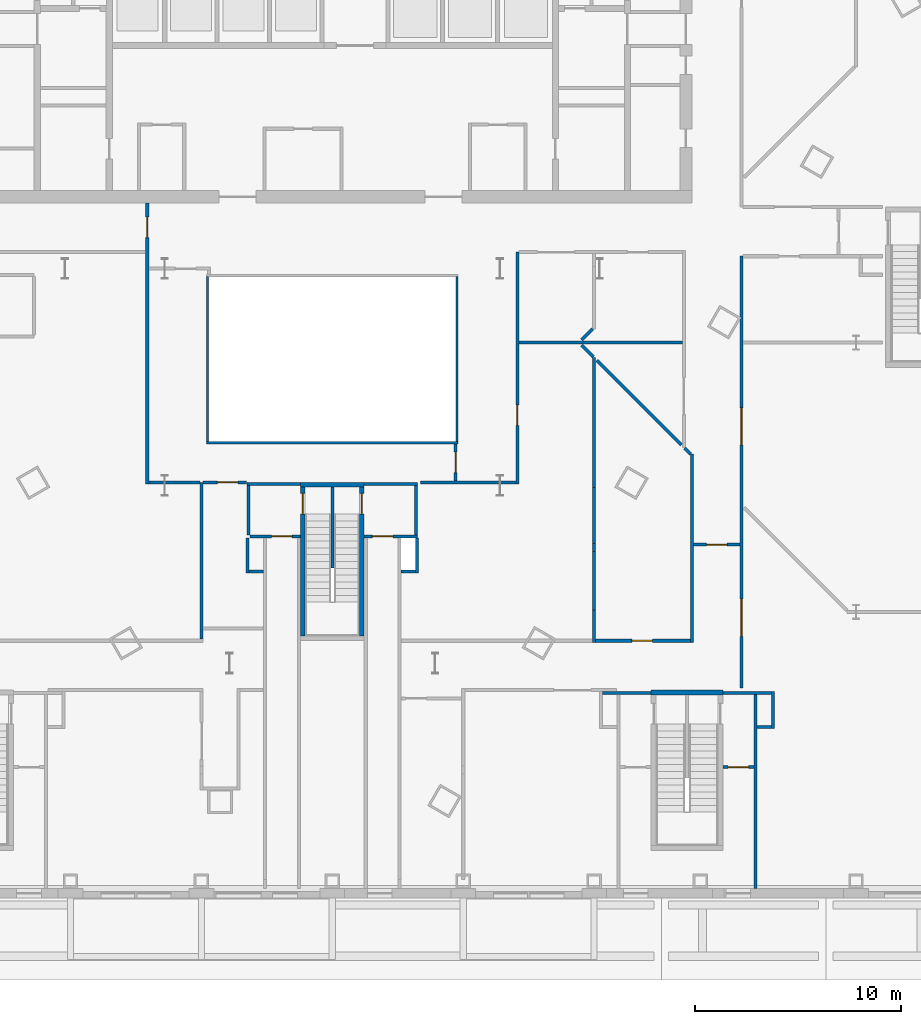
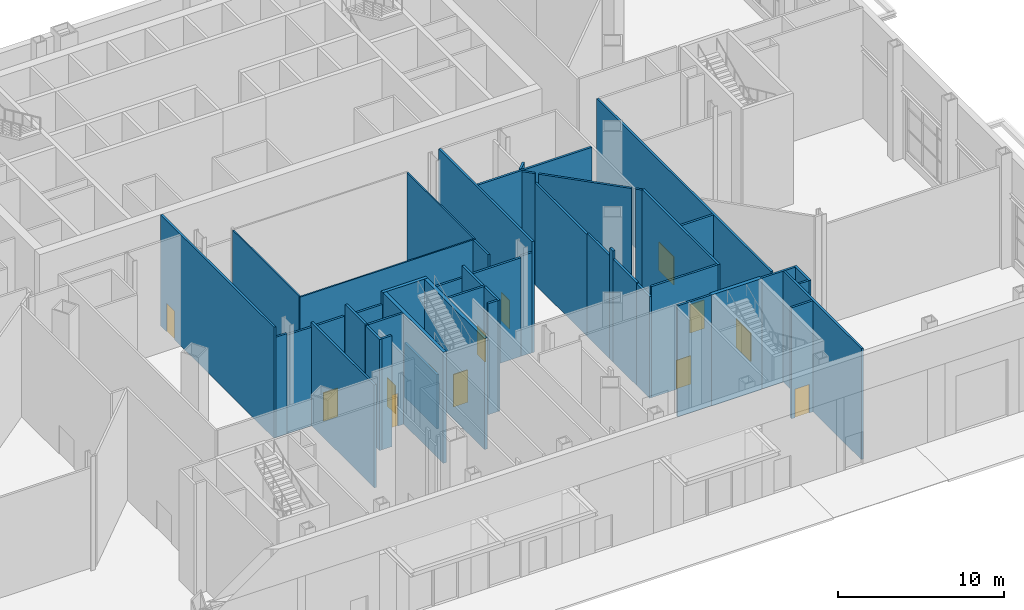
# One storey, part 18 of 34: 47 walls, 13 doors, 13 openings.
"""IFC4 building model written with IfcOpenShell, lengths in metres."""

from ifc_helpers import new_model, si_unit, direction, frame, frame_2d, origin, place, context, subcontext, project, spatial, rectangle, extrude, material, layer, layer_set, type_object, element, fill, save


model = new_model("IFC4")

# Units and contexts
model_context = context("Model", 3, precision=1e-05, world=origin(), true_north=direction((0.0, 1.0)))
body_context = subcontext(model_context, "Body", "Model", "MODEL_VIEW")
ifc_project = project(units=[si_unit("LENGTHUNIT", "METRE"), si_unit("AREAUNIT", "SQUARE_METRE"), si_unit("VOLUMEUNIT", "CUBIC_METRE"), si_unit("PLANEANGLEUNIT", "RADIAN"), si_unit("MASSUNIT", "GRAM", prefix="KILO")], contexts=[model_context])

# Site, building, storey
site_placement = place(None, origin())
site = spatial("IfcSite", under=ifc_project, at=site_placement, CompositionType="ELEMENT")
building_placement = place(site_placement, origin())
building = spatial("IfcBuilding", under=site, at=building_placement, Name="Njiva Tower", CompositionType="ELEMENT")
storey_placement = place(building_placement, origin())
storey = spatial("IfcBuildingStorey", under=building, at=storey_placement, Name="L00", CompositionType="ELEMENT", Elevation=0.0)

# Wall, opening, door
ifc_material_1 = material(Name="Blockwork", Category="masonry")
ifc_layer_1 = layer(ifc_material_1, 0.15)
ifc_layer_set_1 = layer_set([ifc_layer_1], Name="Blockwork")
wall_type_1 = type_object("IfcWallType", Name="WT2 Lobby partition 150", PredefinedType="PARTITIONING", material=ifc_layer_set_1)
wall_1_placement = place(storey_placement, frame((19.0, -27.45, 0.0), z_axis=(0.0, 0.0, 1.0), x_axis=(1.0, 0.0, 0.0)))
wall_1 = element("IfcWall", 1, at=wall_1_placement, inside=storey, type_object=wall_type_1, Name="Stair E upper vestibule wall", PredefinedType="PARTITIONING", context=body_context, shape_type="SweptSolid", body=[
    extrude(rectangle(XDim=1.5, YDim=0.15, at=frame_2d((0.75, 0.0))), origin(), (0.0, 0.0, 1.0), 8.18),
])
opening_1_placement = place(wall_1_placement, frame((0.25, 0.0, 0.0)))
opening_1 = element("IfcOpeningElement", 2, at=opening_1_placement, cuts=wall_1, Name="Opening L00-D953", PredefinedType="OPENING", context=body_context, shape_type="SweptSolid", body=[
    extrude(rectangle(XDim=1.0, YDim=2.1, at=frame_2d((0.5, 1.05))), frame((0.0, 0.085, 0.0), z_axis=(0.0, -1.0, 0.0), x_axis=(1.0, 0.0, 0.0)), (0.0, 0.0, 1.0), 0.17),
])
ifc_material_2 = material(Name="Glazed steel fire door", Category="steel")
door_type_1 = type_object("IfcDoorType", Name="D11 Stair passage door 1000x2100 glazed", OperationType="SINGLE_SWING_LEFT", PredefinedType="DOOR", material=ifc_material_2)
door_1_placement = place(opening_1_placement, origin())
door_1 = element("IfcDoor", 3, at=door_1_placement, inside=storey, type_object=door_type_1, Name="Stair E passage door", OperationType="SINGLE_SWING_LEFT", OverallHeight=2.1, OverallWidth=1.0, PredefinedType="DOOR", context=body_context, shape_type="SweptSolid", body=[
    extrude(rectangle(XDim=1.0, YDim=2.1, at=frame_2d((0.5, 1.05))), frame((0.0, 0.025, 0.0), z_axis=(0.0, -1.0, 0.0), x_axis=(1.0, 0.0, 0.0)), (0.0, 0.0, 1.0), 0.05),
])
fill(opening_1, door_1)

ifc_material_3 = material(Name="Gypsum board on steel studs", Category="gypsum")
ifc_layer_2 = layer(ifc_material_3, 0.15)
ifc_layer_set_2 = layer_set([ifc_layer_2], Name="Gypsum board on steel studs")
wall_type_2 = type_object("IfcWallType", Name="WT21 Compartment wall 150", PredefinedType="PARTITIONING", material=ifc_layer_set_2)
wall_2_placement = place(storey_placement, frame((-9.0, -13.675, 0.0), z_axis=(0.0, 0.0, 1.0), x_axis=(0.0, 1.0, 0.0)))
wall_2 = element("IfcWall", 4, at=wall_2_placement, inside=storey, type_object=wall_type_2, Name="Partition L00-P036", PredefinedType="PARTITIONING", context=body_context, shape_type="SweptSolid", body=[
    extrude(rectangle(XDim=13.675, YDim=0.15, at=frame_2d((6.8375, 0.0))), origin(), (0.0, 0.0, 1.0), 8.18),
])
opening_2_placement = place(wall_2_placement, frame((11.975, 0.0, 0.0)))
opening_2 = element("IfcOpeningElement", 5, at=opening_2_placement, cuts=wall_2, Name="Opening L00-D012", PredefinedType="OPENING", context=body_context, shape_type="SweptSolid", body=[
    extrude(rectangle(XDim=1.0, YDim=2.1, at=frame_2d((0.5, 1.05))), frame((0.0, 0.085, 0.0), z_axis=(0.0, -1.0, 0.0), x_axis=(1.0, 0.0, 0.0)), (0.0, 0.0, 1.0), 0.17),
])
ifc_material_4 = material(Name="Steel fire door set", Category="steel")
door_type_2 = type_object("IfcDoorType", Name="D37 Fire door 1000x2100", OperationType="SINGLE_SWING_LEFT", PredefinedType="DOOR", material=ifc_material_4)
door_2_placement = place(opening_2_placement, origin())
door_2 = element("IfcDoor", 6, at=door_2_placement, inside=storey, type_object=door_type_2, Name="Door L00-D012", OperationType="SINGLE_SWING_LEFT", OverallHeight=2.1, OverallWidth=1.0, PredefinedType="DOOR", context=body_context, shape_type="SweptSolid", body=[
    extrude(rectangle(XDim=1.0, YDim=2.1, at=frame_2d((0.5, 1.05))), frame((0.0, 0.025, 0.0), z_axis=(0.0, -1.0, 0.0), x_axis=(1.0, 0.0, 0.0)), (0.0, 0.0, 1.0), 0.05),
])
fill(opening_2, door_2)

# Walls
wall_3_placement = place(storey_placement, frame((-8.925, -13.6, 0.0), z_axis=(0.0, 0.0, 1.0), x_axis=(1.0, 0.0, 0.0)))
element("IfcWall", 7, at=wall_3_placement, inside=storey, type_object=wall_type_2, Name="Partition L00-P037", PredefinedType="PARTITIONING", context=body_context, shape_type="SweptSolid", body=[
    extrude(rectangle(XDim=0.775, YDim=0.15, at=frame_2d((0.3875, 0.0))), origin(), (0.0, 0.0, 1.0), 7.39),
])
wall_4_placement = place(storey_placement, frame((-8.15, -13.6, 0.0), z_axis=(0.0, 0.0, 1.0), x_axis=(1.0, 0.0, 0.0)))
element("IfcWall", 8, at=wall_4_placement, inside=storey, type_object=wall_type_2, Name="Partition L00-P037A", PredefinedType="PARTITIONING", context=body_context, shape_type="SweptSolid", body=[
    extrude(rectangle(XDim=1.708, YDim=0.15, at=frame_2d((0.854, 0.0))), origin(), (0.0, 0.0, 1.0), 7.27),
])
wall_5_placement = place(storey_placement, frame((-6.367, -21.224, 0.0), z_axis=(0.0, 0.0, 1.0), x_axis=(0.0, 1.0, 0.0)))
element("IfcWall", 9, at=wall_5_placement, inside=storey, type_object=wall_type_2, Name="Partition L00-P039", PredefinedType="PARTITIONING", context=body_context, shape_type="SweptSolid", body=[
    extrude(rectangle(XDim=7.623, YDim=0.15, at=frame_2d((3.8115, 0.0))), origin(), (0.0, 0.0, 1.0), 7.58),
])

# Wall, opening, door
wall_6_placement = place(storey_placement, frame((-6.292, -13.6, 0.0), z_axis=(0.0, 0.0, 1.0), x_axis=(1.0, 0.0, 0.0)))
wall_6 = element("IfcWall", 10, at=wall_6_placement, inside=storey, type_object=wall_type_2, Name="Partition L00-P042", PredefinedType="PARTITIONING", context=body_context, shape_type="SweptSolid", body=[
    extrude(rectangle(XDim=2.122, YDim=0.15, at=frame_2d((1.061, 0.0))), origin(), (0.0, 0.0, 1.0), 7.27),
])
opening_3_placement = place(wall_6_placement, frame((0.701, 0.0, 0.0)))
opening_3 = element("IfcOpeningElement", 11, at=opening_3_placement, cuts=wall_6, Name="Opening L00-D015", PredefinedType="OPENING", context=body_context, shape_type="SweptSolid", body=[
    extrude(rectangle(XDim=1.0, YDim=2.1, at=frame_2d((0.5, 1.05))), frame((0.0, 0.085, 0.0), z_axis=(0.0, -1.0, 0.0), x_axis=(1.0, 0.0, 0.0)), (0.0, 0.0, 1.0), 0.17),
])
door_3_placement = place(opening_3_placement, origin())
door_3 = element("IfcDoor", 12, at=door_3_placement, inside=storey, type_object=door_type_2, Name="Door L00-D015", OperationType="SINGLE_SWING_RIGHT", OverallHeight=2.1, OverallWidth=1.0, PredefinedType="DOOR", context=body_context, shape_type="SweptSolid", body=[
    extrude(rectangle(XDim=1.0, YDim=2.1, at=frame_2d((0.5, 1.05))), frame((0.0, 0.025, 0.0), z_axis=(0.0, -1.0, 0.0), x_axis=(1.0, 0.0, 0.0)), (0.0, 0.0, 1.0), 0.05),
])
fill(opening_3, door_3)

# Walls
wall_7_placement = place(storey_placement, frame((4.3, -13.6, 0.0), z_axis=(0.0, 0.0, 1.0), x_axis=(1.0, 0.0, 0.0)))
element("IfcWall", 13, at=wall_7_placement, inside=storey, type_object=wall_type_2, Name="Partition L00-P049", PredefinedType="PARTITIONING", context=body_context, shape_type="SweptSolid", body=[
    extrude(rectangle(XDim=3.85, YDim=0.15, at=frame_2d((1.925, 0.0))), origin(), (0.0, 0.0, 1.0), 7.27),
])
wall_8_placement = place(storey_placement, frame((8.15, -13.6, 0.0), z_axis=(0.0, 0.0, 1.0), x_axis=(1.0, 0.0, 0.0)))
element("IfcWall", 14, at=wall_8_placement, inside=storey, type_object=wall_type_2, Name="Partition L00-P049A", PredefinedType="PARTITIONING", context=body_context, shape_type="SweptSolid", body=[
    extrude(rectangle(XDim=0.775, YDim=0.15, at=frame_2d((0.3875, 0.0))), origin(), (0.0, 0.0, 1.0), 7.39),
])

# Wall, opening, door
wall_9_placement = place(storey_placement, frame((6.0, -13.525, 0.0), z_axis=(0.0, 0.0, 1.0), x_axis=(0.0, 1.0, 0.0)))
wall_9 = element("IfcWall", 15, at=wall_9_placement, inside=storey, type_object=wall_type_2, Name="Partition L00-P050", PredefinedType="PARTITIONING", context=body_context, shape_type="SweptSolid", body=[
    extrude(rectangle(XDim=1.805, YDim=0.15, at=frame_2d((0.9025, 0.0))), origin(), (0.0, 0.0, 1.0), 8.18),
])
opening_4_placement = place(wall_9_placement, frame((0.403, 0.0, 0.0)))
opening_4 = element("IfcOpeningElement", 16, at=opening_4_placement, cuts=wall_9, Name="Opening L00-D017", PredefinedType="OPENING", context=body_context, shape_type="SweptSolid", body=[
    extrude(rectangle(XDim=1.0, YDim=2.1, at=frame_2d((0.5, 1.05))), frame((0.0, 0.085, 0.0), z_axis=(0.0, -1.0, 0.0), x_axis=(1.0, 0.0, 0.0)), (0.0, 0.0, 1.0), 0.17),
])
door_4_placement = place(opening_4_placement, origin())
door_4 = element("IfcDoor", 17, at=door_4_placement, inside=storey, type_object=door_type_2, Name="Door L00-D017", OperationType="SINGLE_SWING_RIGHT", OverallHeight=2.1, OverallWidth=1.0, PredefinedType="DOOR", context=body_context, shape_type="SweptSolid", body=[
    extrude(rectangle(XDim=1.0, YDim=2.1, at=frame_2d((0.5, 1.05))), frame((0.0, 0.025, 0.0), z_axis=(0.0, -1.0, 0.0), x_axis=(1.0, 0.0, 0.0)), (0.0, 0.0, 1.0), 0.05),
])
fill(opening_4, door_4)

wall_10_placement = place(storey_placement, frame((9.0, -13.675, 0.0), z_axis=(0.0, 0.0, 1.0), x_axis=(0.0, 1.0, 0.0)))
wall_10 = element("IfcWall", 18, at=wall_10_placement, inside=storey, type_object=wall_type_2, Name="Partition L00-P053", PredefinedType="PARTITIONING", context=body_context, shape_type="SweptSolid", body=[
    extrude(rectangle(XDim=11.287, YDim=0.15, at=frame_2d((5.6435, 0.0))), origin(), (0.0, 0.0, 1.0), 8.18),
])
opening_5_placement = place(wall_10_placement, frame((2.848, 0.0, 0.0)))
opening_5 = element("IfcOpeningElement", 19, at=opening_5_placement, cuts=wall_10, Name="Opening L00-D019", PredefinedType="OPENING", context=body_context, shape_type="SweptSolid", body=[
    extrude(rectangle(XDim=1.0, YDim=2.1, at=frame_2d((0.5, 1.05))), frame((0.0, 0.085, 0.0), z_axis=(0.0, -1.0, 0.0), x_axis=(1.0, 0.0, 0.0)), (0.0, 0.0, 1.0), 0.17),
])
door_5_placement = place(opening_5_placement, origin())
door_5 = element("IfcDoor", 20, at=door_5_placement, inside=storey, type_object=door_type_2, Name="Door L00-D019", OperationType="SINGLE_SWING_LEFT", OverallHeight=2.1, OverallWidth=1.0, PredefinedType="DOOR", context=body_context, shape_type="SweptSolid", body=[
    extrude(rectangle(XDim=1.0, YDim=2.1, at=frame_2d((0.5, 1.05))), frame((0.0, 0.025, 0.0), z_axis=(0.0, -1.0, 0.0), x_axis=(1.0, 0.0, 0.0)), (0.0, 0.0, 1.0), 0.05),
])
fill(opening_5, door_5)

# Walls
wall_11_placement = place(storey_placement, frame((9.075, -6.8, 0.0), z_axis=(0.0, 0.0, 1.0), x_axis=(1.0, 0.0, 0.0)))
element("IfcWall", 21, at=wall_11_placement, inside=storey, type_object=wall_type_2, Name="Partition L00-P054", PredefinedType="PARTITIONING", context=body_context, shape_type="SweptSolid", body=[
    extrude(rectangle(XDim=7.95, YDim=0.15, at=frame_2d((3.975, 0.0))), origin(), (0.0, 0.0, 1.0), 8.18),
])
wall_12_placement = place(storey_placement, frame((12.128, -6.928, 0.0), z_axis=(0.0, 0.0, 1.0), x_axis=(0.707106781187, -0.707106781187, 0.0)))
element("IfcWall", 22, at=wall_12_placement, inside=storey, type_object=wall_type_2, Name="Partition L00-P056", PredefinedType="PARTITIONING", context=body_context, shape_type="SweptSolid", body=[
    extrude(rectangle(XDim=0.8033, YDim=0.15, at=frame_2d((0.4016, 0.0))), origin(), (0.0, 0.0, 1.0), 8.18),
])
wall_13_placement = place(storey_placement, frame((12.128, -6.672, 0.0), z_axis=(0.0, 0.0, 1.0), x_axis=(0.707106781187, 0.707106781187, 0.0)))
element("IfcWall", 23, at=wall_13_placement, inside=storey, type_object=wall_type_2, Name="Partition L00-P057", PredefinedType="PARTITIONING", context=body_context, shape_type="SweptSolid", body=[
    extrude(rectangle(XDim=0.7495, YDim=0.15, at=frame_2d((0.3748, 0.0))), origin(), (0.0, 0.0, 1.0), 8.18),
])
wall_14_placement = place(storey_placement, frame((12.733, -21.374, 0.0), z_axis=(0.0, 0.0, 1.0), x_axis=(0.0, 1.0, 0.0)))
element("IfcWall", 24, at=wall_14_placement, inside=storey, type_object=wall_type_2, Name="Partition L00-P058", PredefinedType="PARTITIONING", context=body_context, shape_type="SweptSolid", body=[
    extrude(rectangle(XDim=1.575, YDim=0.15, at=frame_2d((0.7875, 0.0))), origin(), (0.0, 0.0, 1.0), 7.49),
])
wall_15_placement = place(storey_placement, frame((12.733, -19.799, 0.0), z_axis=(0.0, 0.0, 1.0), x_axis=(0.0, 1.0, 0.0)))
element("IfcWall", 25, at=wall_15_placement, inside=storey, type_object=wall_type_2, Name="Partition L00-P058A", PredefinedType="PARTITIONING", context=body_context, shape_type="SweptSolid", body=[
    extrude(rectangle(XDim=2.832, YDim=0.15, at=frame_2d((1.416, 0.0))), origin(), (0.0, 0.0, 1.0), 7.58),
])
wall_16_placement = place(storey_placement, frame((12.733, -16.967, 0.0), z_axis=(0.0, 0.0, 1.0), x_axis=(0.0, 1.0, 0.0)))
element("IfcWall", 26, at=wall_16_placement, inside=storey, type_object=wall_type_2, Name="Partition L00-P058B", PredefinedType="PARTITIONING", context=body_context, shape_type="SweptSolid", body=[
    extrude(rectangle(XDim=0.4, YDim=0.15, at=frame_2d((0.2, 0.0))), origin(), (0.0, 0.0, 1.0), 8.18),
])
wall_17_placement = place(storey_placement, frame((12.733, -16.567, 0.0), z_axis=(0.0, 0.0, 1.0), x_axis=(0.0, 1.0, 0.0)))
element("IfcWall", 27, at=wall_17_placement, inside=storey, type_object=wall_type_2, Name="Partition L00-P058C", PredefinedType="PARTITIONING", context=body_context, shape_type="SweptSolid", body=[
    extrude(rectangle(XDim=2.717, YDim=0.15, at=frame_2d((1.3585, 0.0))), origin(), (0.0, 0.0, 1.0), 7.58),
])
wall_18_placement = place(storey_placement, frame((12.733, -13.85, 0.0), z_axis=(0.0, 0.0, 1.0), x_axis=(0.0, 1.0, 0.0)))
element("IfcWall", 28, at=wall_18_placement, inside=storey, type_object=wall_type_2, Name="Partition L00-P058D", PredefinedType="PARTITIONING", context=body_context, shape_type="SweptSolid", body=[
    extrude(rectangle(XDim=6.316, YDim=0.15, at=frame_2d((3.158, 0.0))), origin(), (0.0, 0.0, 1.0), 7.49),
])

# Wall, opening, door
wall_19_placement = place(storey_placement, frame((12.808, -21.3, 0.0), z_axis=(0.0, 0.0, 1.0), x_axis=(1.0, 0.0, 0.0)))
wall_19 = element("IfcWall", 29, at=wall_19_placement, inside=storey, type_object=wall_type_2, Name="Partition L00-P060", PredefinedType="PARTITIONING", context=body_context, shape_type="SweptSolid", body=[
    extrude(rectangle(XDim=4.617, YDim=0.15, at=frame_2d((2.3085, 0.0))), origin(), (0.0, 0.0, 1.0), 8.18),
])
opening_6_placement = place(wall_19_placement, frame((1.758, 0.0, 0.0)))
opening_6 = element("IfcOpeningElement", 30, at=opening_6_placement, cuts=wall_19, Name="Opening L00-D022", PredefinedType="OPENING", context=body_context, shape_type="SweptSolid", body=[
    extrude(rectangle(XDim=1.0, YDim=2.1, at=frame_2d((0.5, 1.05))), frame((0.0, 0.085, 0.0), z_axis=(0.0, -1.0, 0.0), x_axis=(1.0, 0.0, 0.0)), (0.0, 0.0, 1.0), 0.17),
])
door_6_placement = place(opening_6_placement, origin())
door_6 = element("IfcDoor", 31, at=door_6_placement, inside=storey, type_object=door_type_2, Name="Door L00-D022", OperationType="SINGLE_SWING_RIGHT", OverallHeight=2.1, OverallWidth=1.0, PredefinedType="DOOR", context=body_context, shape_type="SweptSolid", body=[
    extrude(rectangle(XDim=1.0, YDim=2.1, at=frame_2d((0.5, 1.05))), frame((0.0, 0.025, 0.0), z_axis=(0.0, -1.0, 0.0), x_axis=(1.0, 0.0, 0.0)), (0.0, 0.0, 1.0), 0.05),
])
fill(opening_6, door_6)

# Walls
wall_20_placement = place(storey_placement, frame((12.861, -7.661, 0.0), z_axis=(0.0, 0.0, 1.0), x_axis=(0.707106781187, -0.707106781187, 0.0)))
element("IfcWall", 32, at=wall_20_placement, inside=storey, type_object=wall_type_2, Name="Partition L00-P061", PredefinedType="PARTITIONING", context=body_context, shape_type="SweptSolid", body=[
    extrude(rectangle(XDim=5.8138, YDim=0.15, at=frame_2d((2.9069, 0.0))), origin(), (0.0, 0.0, 1.0), 8.18),
])
wall_21_placement = place(storey_placement, frame((17.137, -11.938, 0.0), z_axis=(0.0, 0.0, 1.0), x_axis=(0.708335460904, -0.705875962776, 0.0)))
element("IfcWall", 33, at=wall_21_placement, inside=storey, type_object=wall_type_2, Name="Partition L00-P063", PredefinedType="PARTITIONING", context=body_context, shape_type="SweptSolid", body=[
    extrude(rectangle(XDim=0.4066, YDim=0.15, at=frame_2d((0.2033, 0.0))), origin(), (0.0, 0.0, 1.0), 8.18),
])
wall_22_placement = place(storey_placement, frame((17.5, -21.375, 0.0), z_axis=(0.0, 0.0, 1.0), x_axis=(0.0, 1.0, 0.0)))
element("IfcWall", 34, at=wall_22_placement, inside=storey, type_object=wall_type_2, Name="Partition L00-P064", PredefinedType="PARTITIONING", context=body_context, shape_type="SweptSolid", body=[
    extrude(rectangle(XDim=9.15, YDim=0.15, at=frame_2d((4.575, 0.0))), origin(), (0.0, 0.0, 1.0), 8.18),
])

# Wall, opening, door
wall_23_placement = place(storey_placement, frame((17.575, -16.625, 0.0), z_axis=(0.0, 0.0, 1.0), x_axis=(1.0, 0.0, 0.0)))
wall_23 = element("IfcWall", 35, at=wall_23_placement, inside=storey, type_object=wall_type_2, Name="Partition L00-P065", PredefinedType="PARTITIONING", context=body_context, shape_type="SweptSolid", body=[
    extrude(rectangle(XDim=2.25, YDim=0.15, at=frame_2d((1.125, 0.0))), origin(), (0.0, 0.0, 1.0), 8.18),
])
opening_7_placement = place(wall_23_placement, frame((0.625, 0.0, 0.0)))
opening_7 = element("IfcOpeningElement", 36, at=opening_7_placement, cuts=wall_23, Name="Opening L00-D024", PredefinedType="OPENING", context=body_context, shape_type="SweptSolid", body=[
    extrude(rectangle(XDim=1.0, YDim=2.1, at=frame_2d((0.5, 1.05))), frame((0.0, 0.085, 0.0), z_axis=(0.0, -1.0, 0.0), x_axis=(1.0, 0.0, 0.0)), (0.0, 0.0, 1.0), 0.17),
])
door_7_placement = place(opening_7_placement, origin())
door_7 = element("IfcDoor", 37, at=door_7_placement, inside=storey, type_object=door_type_2, Name="Door L00-D024", OperationType="SINGLE_SWING_RIGHT", OverallHeight=2.1, OverallWidth=1.0, PredefinedType="DOOR", context=body_context, shape_type="SweptSolid", body=[
    extrude(rectangle(XDim=1.0, YDim=2.1, at=frame_2d((0.5, 1.05))), frame((0.0, 0.025, 0.0), z_axis=(0.0, -1.0, 0.0), x_axis=(1.0, 0.0, 0.0)), (0.0, 0.0, 1.0), 0.05),
])
fill(opening_7, door_7)

# Wall, openings, doors
wall_24_placement = place(storey_placement, frame((19.9, -23.6, 0.0), z_axis=(0.0, 0.0, 1.0), x_axis=(0.0, 1.0, 0.0)))
wall_24 = element("IfcWall", 38, at=wall_24_placement, inside=storey, type_object=wall_type_2, Name="Partition L00-P066", PredefinedType="PARTITIONING", context=body_context, shape_type="SweptSolid", body=[
    extrude(rectangle(XDim=21.012, YDim=0.15, at=frame_2d((10.506, 0.0))), origin(), (0.0, 0.0, 1.0), 8.18),
])
opening_8_placement = place(wall_24_placement, frame((2.518, 0.0, 0.0)))
opening_8 = element("IfcOpeningElement", 39, at=opening_8_placement, cuts=wall_24, Name="Opening L00-D025", PredefinedType="OPENING", context=body_context, shape_type="SweptSolid", body=[
    extrude(rectangle(XDim=1.8, YDim=2.1, at=frame_2d((0.9, 1.05))), frame((0.0, 0.085, 0.0), z_axis=(0.0, -1.0, 0.0), x_axis=(1.0, 0.0, 0.0)), (0.0, 0.0, 1.0), 0.17),
])
opening_9_placement = place(wall_24_placement, frame((11.823, 0.0, 0.0)))
opening_9 = element("IfcOpeningElement", 40, at=opening_9_placement, cuts=wall_24, Name="Opening L00-D026", PredefinedType="OPENING", context=body_context, shape_type="SweptSolid", body=[
    extrude(rectangle(XDim=1.8, YDim=2.1, at=frame_2d((0.9, 1.05))), frame((0.0, 0.085, 0.0), z_axis=(0.0, -1.0, 0.0), x_axis=(1.0, 0.0, 0.0)), (0.0, 0.0, 1.0), 0.17),
])
door_type_3 = type_object("IfcDoorType", Name="D38 Fire door 1800x2100", OperationType="DOUBLE_DOOR_SINGLE_SWING", PredefinedType="DOOR", material=ifc_material_4)
door_8_placement = place(opening_8_placement, origin())
door_8 = element("IfcDoor", 41, at=door_8_placement, inside=storey, type_object=door_type_3, Name="Door L00-D025", OperationType="DOUBLE_DOOR_SINGLE_SWING", OverallHeight=2.1, OverallWidth=1.8, PredefinedType="DOOR", context=body_context, shape_type="SweptSolid", body=[
    extrude(rectangle(XDim=1.8, YDim=2.1, at=frame_2d((0.9, 1.05))), frame((0.0, 0.025, 0.0), z_axis=(0.0, -1.0, 0.0), x_axis=(1.0, 0.0, 0.0)), (0.0, 0.0, 1.0), 0.05),
])
fill(opening_8, door_8)
door_9_placement = place(opening_9_placement, origin())
door_9 = element("IfcDoor", 42, at=door_9_placement, inside=storey, type_object=door_type_3, Name="Door L00-D026", OperationType="DOUBLE_DOOR_SINGLE_SWING", OverallHeight=2.1, OverallWidth=1.8, PredefinedType="DOOR", context=body_context, shape_type="SweptSolid", body=[
    extrude(rectangle(XDim=1.8, YDim=2.1, at=frame_2d((0.9, 1.05))), frame((0.0, 0.025, 0.0), z_axis=(0.0, -1.0, 0.0), x_axis=(1.0, 0.0, 0.0)), (0.0, 0.0, 1.0), 0.05),
])
fill(opening_9, door_9)

# Wall
ifc_layer_3 = layer(ifc_material_1, 0.15)
ifc_layer_set_3 = layer_set([ifc_layer_3], Name="Blockwork")
wall_type_3 = type_object("IfcWallType", Name="WT4 Stair partition 150", PredefinedType="PARTITIONING", material=ifc_layer_set_3)
wall_25_placement = place(storey_placement, frame((0.0, -17.755, 0.0), z_axis=(0.0, 0.0, 1.0), x_axis=(0.0, 1.0, 0.0)))
element("IfcWall", 43, at=wall_25_placement, inside=storey, type_object=wall_type_3, Name="Stair C dividing wall", PredefinedType="PARTITIONING", context=body_context, shape_type="SweptSolid", body=[
    extrude(rectangle(XDim=3.93, YDim=0.15, at=frame_2d((1.965, 0.0))), origin(), (0.0, 0.0, 1.0), 4.0),
])

# Wall, opening, door
wall_26_placement = place(storey_placement, frame((1.55, -16.225, 0.0), z_axis=(0.0, 0.0, 1.0), x_axis=(1.0, 0.0, 0.0)))
wall_26 = element("IfcWall", 44, at=wall_26_placement, inside=storey, type_object=wall_type_3, Name="Stair C vestibule wall south", PredefinedType="PARTITIONING", context=body_context, shape_type="SweptSolid", body=[
    extrude(rectangle(XDim=2.6, YDim=0.15, at=frame_2d((1.3, 0.0))), origin(), (0.0, 0.0, 1.0), 8.18),
])
opening_10_placement = place(wall_26_placement, frame((0.4, 0.0, 0.0)))
opening_10 = element("IfcOpeningElement", 45, at=opening_10_placement, cuts=wall_26, Name="Opening L00-D945", PredefinedType="OPENING", context=body_context, shape_type="SweptSolid", body=[
    extrude(rectangle(XDim=1.0, YDim=2.4, at=frame_2d((0.5, 1.2))), frame((0.0, 0.085, 0.0), z_axis=(0.0, -1.0, 0.0), x_axis=(1.0, 0.0, 0.0)), (0.0, 0.0, 1.0), 0.17),
])
door_type_4 = type_object("IfcDoorType", Name="D15 Exit door 1000x2400 glazed", OperationType="SINGLE_SWING_LEFT", PredefinedType="DOOR", material=ifc_material_2)
door_10_placement = place(opening_10_placement, origin())
door_10 = element("IfcDoor", 46, at=door_10_placement, inside=storey, type_object=door_type_4, Name="Stair C passage door", OperationType="SINGLE_SWING_LEFT", OverallHeight=2.4, OverallWidth=1.0, PredefinedType="DOOR", context=body_context, shape_type="SweptSolid", body=[
    extrude(rectangle(XDim=1.0, YDim=2.4, at=frame_2d((0.5, 1.2))), frame((0.0, 0.025, 0.0), z_axis=(0.0, -1.0, 0.0), x_axis=(1.0, 0.0, 0.0)), (0.0, 0.0, 1.0), 0.05),
])
fill(opening_10, door_10)

# Walls
wall_27_placement = place(storey_placement, frame((4.075, -16.15, 0.0), z_axis=(0.0, 0.0, 1.0), x_axis=(0.0, 1.0, 0.0)))
element("IfcWall", 47, at=wall_27_placement, inside=storey, type_object=wall_type_3, Name="Stair C vestibule wall east", PredefinedType="PARTITIONING", context=body_context, shape_type="SweptSolid", body=[
    extrude(rectangle(XDim=2.4, YDim=0.15, at=frame_2d((1.2, 0.0))), origin(), (0.0, 0.0, 1.0), 8.18),
])
wall_28_placement = place(storey_placement, frame((1.55, -13.675, 0.0), z_axis=(0.0, 0.0, 1.0), x_axis=(1.0, 0.0, 0.0)))
element("IfcWall", 48, at=wall_28_placement, inside=storey, type_object=wall_type_3, Name="Stair C vestibule wall north", PredefinedType="PARTITIONING", context=body_context, shape_type="SweptSolid", body=[
    extrude(rectangle(XDim=2.6, YDim=0.15, at=frame_2d((1.3, 0.0))), origin(), (0.0, 0.0, 1.0), 7.27),
])
wall_29_placement = place(storey_placement, frame((3.35, -17.925, 0.0), z_axis=(0.0, 0.0, 1.0), x_axis=(1.0, 0.0, 0.0)))
element("IfcWall", 49, at=wall_29_placement, inside=storey, type_object=wall_type_3, Name="Stair C pressurisation shaft wall", PredefinedType="PARTITIONING", context=body_context, shape_type="SweptSolid", body=[
    extrude(rectangle(XDim=0.7, YDim=0.15, at=frame_2d((0.35, 0.0))), origin(), (0.0, 0.0, 1.0), 8.18),
])
wall_30_placement = place(storey_placement, frame((4.125, -18.0, 0.0), z_axis=(0.0, 0.0, 1.0), x_axis=(0.0, 1.0, 0.0)))
element("IfcWall", 50, at=wall_30_placement, inside=storey, type_object=wall_type_3, Name="Stair C pressurisation shaft wall", PredefinedType="PARTITIONING", context=body_context, shape_type="SweptSolid", body=[
    extrude(rectangle(XDim=1.7, YDim=0.15, at=frame_2d((0.85, 0.0))), origin(), (0.0, 0.0, 1.0), 8.18),
])

# Wall, opening, door
wall_31_placement = place(storey_placement, frame((-4.0, -16.225, 0.0), z_axis=(0.0, 0.0, 1.0), x_axis=(1.0, 0.0, 0.0)))
wall_31 = element("IfcWall", 51, at=wall_31_placement, inside=storey, type_object=wall_type_3, Name="Stair C upper vestibule wall south", PredefinedType="PARTITIONING", context=body_context, shape_type="SweptSolid", body=[
    extrude(rectangle(XDim=2.45, YDim=0.15, at=frame_2d((1.225, 0.0))), origin(), (0.0, 0.0, 1.0), 8.18),
])
opening_11_placement = place(wall_31_placement, frame((1.05, 0.0, 0.0)))
opening_11 = element("IfcOpeningElement", 52, at=opening_11_placement, cuts=wall_31, Name="Opening L00-D947", PredefinedType="OPENING", context=body_context, shape_type="SweptSolid", body=[
    extrude(rectangle(XDim=1.0, YDim=2.4, at=frame_2d((0.5, 1.2))), frame((0.0, 0.085, 0.0), z_axis=(0.0, -1.0, 0.0), x_axis=(1.0, 0.0, 0.0)), (0.0, 0.0, 1.0), 0.17),
])
door_11_placement = place(opening_11_placement, origin())
door_11 = element("IfcDoor", 53, at=door_11_placement, inside=storey, type_object=door_type_4, Name="Stair C passage door", OperationType="SINGLE_SWING_RIGHT", OverallHeight=2.4, OverallWidth=1.0, PredefinedType="DOOR", context=body_context, shape_type="SweptSolid", body=[
    extrude(rectangle(XDim=1.0, YDim=2.4, at=frame_2d((0.5, 1.2))), frame((0.0, 0.025, 0.0), z_axis=(0.0, -1.0, 0.0), x_axis=(1.0, 0.0, 0.0)), (0.0, 0.0, 1.0), 0.05),
])
fill(opening_11, door_11)

# Walls
wall_32_placement = place(storey_placement, frame((-4.075, -16.15, 0.0), z_axis=(0.0, 0.0, 1.0), x_axis=(0.0, 1.0, 0.0)))
element("IfcWall", 54, at=wall_32_placement, inside=storey, type_object=wall_type_3, Name="Stair C upper vestibule wall west", PredefinedType="PARTITIONING", context=body_context, shape_type="SweptSolid", body=[
    extrude(rectangle(XDim=2.4, YDim=0.15, at=frame_2d((1.2, 0.0))), origin(), (0.0, 0.0, 1.0), 8.18),
])
wall_33_placement = place(storey_placement, frame((-4.15, -13.675, 0.0), z_axis=(0.0, 0.0, 1.0), x_axis=(1.0, 0.0, 0.0)))
element("IfcWall", 55, at=wall_33_placement, inside=storey, type_object=wall_type_3, Name="Stair C upper vestibule wall north", PredefinedType="PARTITIONING", context=body_context, shape_type="SweptSolid", body=[
    extrude(rectangle(XDim=2.6, YDim=0.15, at=frame_2d((1.3, 0.0))), origin(), (0.0, 0.0, 1.0), 7.27),
])
wall_34_placement = place(storey_placement, frame((-4.125, -18.0, 0.0), z_axis=(0.0, 0.0, 1.0), x_axis=(0.0, 1.0, 0.0)))
element("IfcWall", 56, at=wall_34_placement, inside=storey, type_object=wall_type_3, Name="Stair C upper pressurisation shaft wall", PredefinedType="PARTITIONING", context=body_context, shape_type="SweptSolid", body=[
    extrude(rectangle(XDim=1.7, YDim=0.15, at=frame_2d((0.85, 0.0))), origin(), (0.0, 0.0, 1.0), 8.18),
])
wall_35_placement = place(storey_placement, frame((-4.05, -17.925, 0.0), z_axis=(0.0, 0.0, 1.0), x_axis=(1.0, 0.0, 0.0)))
element("IfcWall", 57, at=wall_35_placement, inside=storey, type_object=wall_type_3, Name="Stair C upper pressurisation shaft wall", PredefinedType="PARTITIONING", context=body_context, shape_type="SweptSolid", body=[
    extrude(rectangle(XDim=0.7, YDim=0.15, at=frame_2d((0.35, 0.0))), origin(), (0.0, 0.0, 1.0), 8.18),
])
wall_36_placement = place(storey_placement, frame((20.575, -33.35, 0.0), z_axis=(0.0, 0.0, 1.0), x_axis=(0.0, 1.0, 0.0)))
element("IfcWall", 58, at=wall_36_placement, inside=storey, type_object=wall_type_3, Name="Stair E upper exit passage wall outer", PredefinedType="PARTITIONING", context=body_context, shape_type="SweptSolid", body=[
    extrude(rectangle(XDim=9.425, YDim=0.15, at=frame_2d((4.7125, 0.0))), origin(), (0.0, 0.0, 1.0), 8.18),
])
wall_37_placement = place(storey_placement, frame((19.0, -23.85, 0.0), z_axis=(0.0, 0.0, 1.0), x_axis=(1.0, 0.0, 0.0)))
element("IfcWall", 59, at=wall_37_placement, inside=storey, type_object=wall_type_3, Name="Stair E upper exit passage wall north", PredefinedType="PARTITIONING", context=body_context, shape_type="SweptSolid", body=[
    extrude(rectangle(XDim=2.35, YDim=0.15, at=frame_2d((1.175, 0.0))), origin(), (0.0, 0.0, 1.0), 8.18),
])
wall_38_placement = place(storey_placement, frame((21.425, -25.575, 0.0), z_axis=(0.0, 0.0, 1.0), x_axis=(0.0, 1.0, 0.0)))
element("IfcWall", 60, at=wall_38_placement, inside=storey, type_object=wall_type_3, Name="Stair E upper pressurisation shaft wall", PredefinedType="PARTITIONING", context=body_context, shape_type="SweptSolid", body=[
    extrude(rectangle(XDim=1.8, YDim=0.15, at=frame_2d((0.9, 0.0))), origin(), (0.0, 0.0, 1.0), 8.18),
])
wall_39_placement = place(storey_placement, frame((20.65, -25.5, 0.0), z_axis=(0.0, 0.0, 1.0), x_axis=(1.0, 0.0, 0.0)))
element("IfcWall", 61, at=wall_39_placement, inside=storey, type_object=wall_type_3, Name="Stair E upper pressurisation shaft wall", PredefinedType="PARTITIONING", context=body_context, shape_type="SweptSolid", body=[
    extrude(rectangle(XDim=0.7, YDim=0.15, at=frame_2d((0.35, 0.0))), origin(), (0.0, 0.0, 1.0), 8.18),
])
wall_40_placement = place(storey_placement, frame((15.5, -23.85, 0.0), z_axis=(0.0, 0.0, 1.0), x_axis=(-1.0, 0.0, 0.0)))
element("IfcWall", 62, at=wall_40_placement, inside=storey, type_object=wall_type_3, Name="Stair E basement exit passage wall north", PredefinedType="PARTITIONING", context=body_context, shape_type="SweptSolid", body=[
    extrude(rectangle(XDim=2.35, YDim=0.15, at=frame_2d((1.175, 0.0))), origin(), (0.0, 0.0, 1.0), 8.18),
])

# Wall, opening, door
ifc_material_5 = material(Name="Concrete C40/50", Category="concrete")
ifc_layer_4 = layer(ifc_material_5, 0.225)
ifc_layer_set_4 = layer_set([ifc_layer_4], Name="Concrete C40/50")
wall_type_4 = type_object("IfcWallType", Name="WT8 Stair enclosure wall 225", PredefinedType="SHEAR", material=ifc_layer_set_4)
wall_41_placement = place(storey_placement, frame((-1.4375, -21.075, 0.0), z_axis=(0.0, 0.0, 1.0), x_axis=(0.0, 1.0, 0.0)))
wall_41 = element("IfcWall", 63, at=wall_41_placement, inside=storey, type_object=wall_type_4, Name="Stair C wall west", PredefinedType="SHEAR", context=body_context, shape_type="SweptSolid", body=[
    extrude(rectangle(XDim=7.25, YDim=0.225, at=frame_2d((3.625, 0.0))), origin(), (0.0, 0.0, 1.0), 8.18),
])
opening_12_placement = place(wall_41_placement, frame((5.94, 0.0, 0.0)))
opening_12 = element("IfcOpeningElement", 64, at=opening_12_placement, cuts=wall_41, Name="Opening L00-D946", PredefinedType="OPENING", context=body_context, shape_type="SweptSolid", body=[
    extrude(rectangle(XDim=1.0, YDim=2.1, at=frame_2d((0.5, 1.05))), frame((0.0, 0.1225, 0.0), z_axis=(0.0, -1.0, 0.0), x_axis=(1.0, 0.0, 0.0)), (0.0, 0.0, 1.0), 0.245),
])
door_type_5 = type_object("IfcDoorType", Name="D9 Stair vestibule door 1000x2100 glazed", OperationType="SINGLE_SWING_LEFT", PredefinedType="DOOR", material=ifc_material_2)
door_12_placement = place(opening_12_placement, origin())
door_12 = element("IfcDoor", 65, at=door_12_placement, inside=storey, type_object=door_type_5, Name="Stair C door", OperationType="SINGLE_SWING_LEFT", OverallHeight=2.1, OverallWidth=1.0, PredefinedType="DOOR", context=body_context, shape_type="SweptSolid", body=[
    extrude(rectangle(XDim=1.0, YDim=2.1, at=frame_2d((0.5, 1.05))), frame((0.0, 0.025, 0.0), z_axis=(0.0, -1.0, 0.0), x_axis=(1.0, 0.0, 0.0)), (0.0, 0.0, 1.0), 0.05),
])
fill(opening_12, door_12)

wall_42_placement = place(storey_placement, frame((1.4375, -21.075, 0.0), z_axis=(0.0, 0.0, 1.0), x_axis=(0.0, 1.0, 0.0)))
wall_42 = element("IfcWall", 66, at=wall_42_placement, inside=storey, type_object=wall_type_4, Name="Stair C wall east", PredefinedType="SHEAR", context=body_context, shape_type="SweptSolid", body=[
    extrude(rectangle(XDim=7.25, YDim=0.225, at=frame_2d((3.625, 0.0))), origin(), (0.0, 0.0, 1.0), 8.18),
])
opening_13_placement = place(wall_42_placement, frame((5.94, 0.0, 0.0)))
opening_13 = element("IfcOpeningElement", 67, at=opening_13_placement, cuts=wall_42, Name="Opening L00-D944", PredefinedType="OPENING", context=body_context, shape_type="SweptSolid", body=[
    extrude(rectangle(XDim=1.0, YDim=2.1, at=frame_2d((0.5, 1.05))), frame((0.0, 0.1225, 0.0), z_axis=(0.0, -1.0, 0.0), x_axis=(1.0, 0.0, 0.0)), (0.0, 0.0, 1.0), 0.245),
])
door_13_placement = place(opening_13_placement, origin())
door_13 = element("IfcDoor", 68, at=door_13_placement, inside=storey, type_object=door_type_5, Name="Stair C door", OperationType="SINGLE_SWING_RIGHT", OverallHeight=2.1, OverallWidth=1.0, PredefinedType="DOOR", context=body_context, shape_type="SweptSolid", body=[
    extrude(rectangle(XDim=1.0, YDim=2.1, at=frame_2d((0.5, 1.05))), frame((0.0, 0.025, 0.0), z_axis=(0.0, -1.0, 0.0), x_axis=(1.0, 0.0, 0.0)), (0.0, 0.0, 1.0), 0.05),
])
fill(opening_13, door_13)

# Walls
wall_43_placement = place(storey_placement, frame((-1.55, -13.7125, 0.0), z_axis=(0.0, 0.0, 1.0), x_axis=(1.0, 0.0, 0.0)))
element("IfcWall", 69, at=wall_43_placement, inside=storey, type_object=wall_type_4, Name="Stair C wall north", PredefinedType="SHEAR", context=body_context, shape_type="SweptSolid", body=[
    extrude(rectangle(XDim=3.1, YDim=0.225, at=frame_2d((1.55, 0.0))), origin(), (0.0, 0.0, 1.0), 8.18),
])
ifc_layer_5 = layer(ifc_material_5, 0.25)
ifc_layer_set_5 = layer_set([ifc_layer_5], Name="Concrete C40/50")
wall_type_5 = type_object("IfcWallType", Name="WT9 Stair enclosure wall 250", PredefinedType="SHEAR", material=ifc_layer_set_5)
wall_44_placement = place(storey_placement, frame((15.5, -23.825, 0.0), z_axis=(0.0, 0.0, 1.0), x_axis=(1.0, 0.0, 0.0)))
element("IfcWall", 70, at=wall_44_placement, inside=storey, type_object=wall_type_5, Name="Stair E wall north", PredefinedType="SHEAR", context=body_context, shape_type="SweptSolid", body=[
    extrude(rectangle(XDim=3.5, YDim=0.25, at=frame_2d((1.75, 0.0))), origin(), (0.0, 0.0, 1.0), 8.18),
])
ifc_material_6 = material(Name="Fire-resisting glazing EI 90", Category="glass")
ifc_layer_6 = layer(ifc_material_6, 0.1)
ifc_layer_set_6 = layer_set([ifc_layer_6], Name="Fire-resisting glazing EI 90")
wall_type_6 = type_object("IfcWallType", Name="WT95 Fire-resisting glazed screen EI 90", PredefinedType="PARTITIONING", material=ifc_layer_set_6)
wall_45_placement = place(storey_placement, frame((-6.12, -11.67, 0.0), z_axis=(0.0, 0.0, 1.0), x_axis=(1.0, 0.0, 0.0)))
element("IfcWall", 71, at=wall_45_placement, inside=storey, type_object=wall_type_6, Name="Atrium fire screen south", PredefinedType="PARTITIONING", context=body_context, shape_type="SweptSolid", body=[
    extrude(rectangle(XDim=12.24, YDim=0.1, at=frame_2d((6.12, 0.0))), origin(), (0.0, 0.0, 1.0), 8.18),
])
for number, where, z_axis, x_axis, name in (
    (72, (6.07, -11.62, 0.0), (0.0, 0.0, 1.0), (0.0, 1.0, 0.0), "Atrium fire screen east"),
    (73, (-6.07, -3.58, 0.0), (0.0, 0.0, 1.0), (0.0, -1.0, 0.0), "Atrium fire screen west"),
):
    element("IfcWall", number, at=place(storey_placement, frame(where, z_axis=z_axis, x_axis=x_axis)), inside=storey, type_object=wall_type_6, Name=name, PredefinedType="PARTITIONING", context=body_context, shape_type="SweptSolid", body=[
        extrude(rectangle(XDim=8.04, YDim=0.1, at=frame_2d((4.02, 0.0))), origin(), (0.0, 0.0, 1.0), 8.18),
    ])

save(model, "model.ifc")
